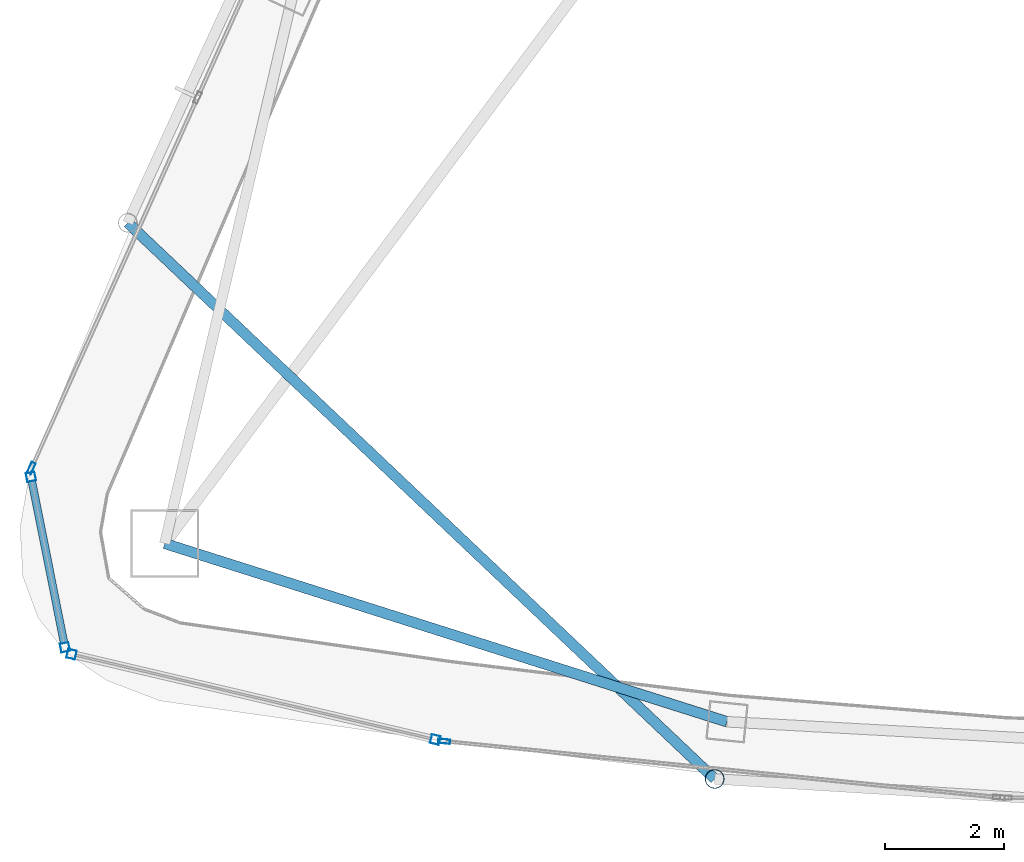
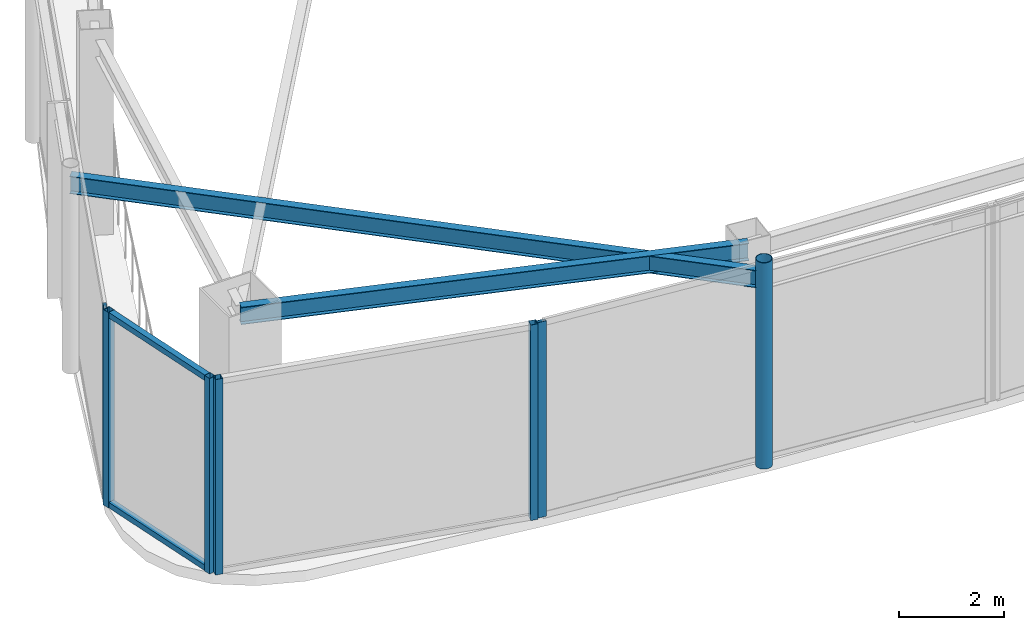
# One storey, part 2 of 19: 9 members, 2 beams, 4 elements without a shape of their own.
"""IFC4 building model written with IfcOpenShell, lengths in metres."""

from ifc_helpers import new_model, si_unit, direction, frame, origin, origin_2d, place, context, subcontext, project, spatial, hollow_rectangle, hollow_circle, i_section, extrude, material, layer, layer_set, material_profile, profile_set, type_object, element, aggregate, save


model = new_model("IFC4")

# Units and contexts
model_context = context("Model", 3, precision=1e-05, world=origin(), true_north=direction((0.0, 1.0)))
body_context = subcontext(model_context, "Body", "Model", "MODEL_VIEW")
ifc_project = project(units=[si_unit("LENGTHUNIT", "METRE"), si_unit("AREAUNIT", "SQUARE_METRE"), si_unit("VOLUMEUNIT", "CUBIC_METRE"), si_unit("PLANEANGLEUNIT", "RADIAN"), si_unit("MASSUNIT", "GRAM", prefix="KILO")], contexts=[model_context])

# Site, building, storey
site_placement = place(None, origin())
site = spatial("IfcSite", under=ifc_project, at=site_placement, CompositionType="ELEMENT")
building_placement = place(site_placement, origin())
building = spatial("IfcBuilding", under=site, at=building_placement, Name="Orvanel Arch Residences", CompositionType="ELEMENT")
storey_placement = place(building_placement, frame((0.0, 0.0, 286.10009765625)))
storey = spatial("IfcBuildingStorey", under=building, at=storey_placement, Name="L81", CompositionType="ELEMENT", Elevation=286.10009765625)

# Curtain wall, members
ifc_material_1 = material(Name="Bronze-anodised aluminium AA6063-T6", Category="aluminium")
ifc_layer = layer(ifc_material_1, 0.2099609375)
ifc_layer_set = layer_set([ifc_layer], Name="Bronze-anodised aluminium AA6063-T6")
curtain_wall_type = type_object("IfcCurtainWallType", Name="CW7-TOP-SYS", PredefinedType="NOTDEFINED", material=ifc_layer_set)
curtain_wall_1_placement = place(storey_placement, origin())
curtain_wall_1 = element("IfcCurtainWall", 1, at=curtain_wall_1_placement, inside=storey, type_object=curtain_wall_type, Name="L81 CW7-TOP-SYS Unitised Curtain Wall", PredefinedType="NOTDEFINED")
ifc_material_profile_1 = material_profile(ifc_material_1, hollow_rectangle(XDim=0.14990234375, YDim=0.14990234375, WallThickness=0.0048828125, at=origin_2d()), Name="ALU150x150x5")
ifc_profile_set_1 = profile_set([ifc_material_profile_1], Name="Bronze-anodised aluminium AA6063-T6")
member_type_1 = type_object("IfcMemberType", Name="MUL-150x150", PredefinedType="MULLION", material=ifc_profile_set_1)
member_1_placement = place(storey_placement, frame((11.95068359375, 11.471435546875, 0.0), z_axis=(0.0, 0.0, 1.0), x_axis=(0.980680696495, 0.195615366274, 0.0)))
member_1 = element("IfcMember", 2, at=member_1_placement, type_object=member_type_1, Name="CW-S7 mullion 1", PredefinedType="MULLION", context=body_context, shape_type="SweptSolid", body=[
    extrude(hollow_rectangle(XDim=0.14990234375, YDim=0.14990234375, WallThickness=0.0048828125, at=origin_2d()), origin(), (0.0, 0.0, 1.0), 4.5498046875),
])
member_2_placement = place(storey_placement, frame((12.522216796875, 8.60546875, 0.0), z_axis=(0.0, 0.0, 1.0), x_axis=(0.980680696495, 0.195615366274, 0.0)))
member_2 = element("IfcMember", 3, at=member_2_placement, type_object=member_type_1, Name="CW-S7 mullion 2", PredefinedType="MULLION", context=body_context, shape_type="SweptSolid", body=[
    extrude(hollow_rectangle(XDim=0.14990234375, YDim=0.14990234375, WallThickness=0.0048828125, at=origin_2d()), origin(), (0.0, 0.0, 1.0), 4.5498046875),
])

curtain_wall_2_placement = place(storey_placement, origin())
curtain_wall_2 = element("IfcCurtainWall", 4, at=curtain_wall_2_placement, inside=storey, type_object=curtain_wall_type, Name="L81 CW7-TOP-SYS Unitised Curtain Wall", PredefinedType="NOTDEFINED")
member_3_placement = place(storey_placement, frame((12.633056640625, 8.48974609375, 0.0), z_axis=(0.0, 0.0, 1.0), x_axis=(0.22864052585, 0.973510919271, 0.0)))
member_3 = element("IfcMember", 5, at=member_3_placement, type_object=member_type_1, Name="CW-S7 mullion 1", PredefinedType="MULLION", context=body_context, shape_type="SweptSolid", body=[
    extrude(hollow_rectangle(XDim=0.14990234375, YDim=0.14990234375, WallThickness=0.0048828125, at=origin_2d()), origin(), (0.0, 0.0, 1.0), 4.5498046875),
])
member_4_placement = place(storey_placement, frame((18.74609375, 7.05419921875, 0.0), z_axis=(0.0, 0.0, 1.0), x_axis=(0.22864052585, 0.973510919271, 0.0)))
member_4 = element("IfcMember", 6, at=member_4_placement, type_object=member_type_1, Name="CW-S7 mullion 2", PredefinedType="MULLION", context=body_context, shape_type="SweptSolid", body=[
    extrude(hollow_rectangle(XDim=0.14990234375, YDim=0.14990234375, WallThickness=0.0048828125, at=origin_2d()), origin(), (0.0, 0.0, 1.0), 4.5498046875),
])
aggregate(curtain_wall_2, [member_3, member_4])

# Curtain wall, member
curtain_wall_3_placement = place(storey_placement, origin())
curtain_wall_3 = element("IfcCurtainWall", 7, at=curtain_wall_3_placement, inside=storey, type_object=curtain_wall_type, Name="L81 CW7-TOP-SYS Unitised Curtain Wall", PredefinedType="NOTDEFINED")
ifc_material_profile_2 = material_profile(ifc_material_1, hollow_rectangle(XDim=0.074951171875, YDim=0.199951171875, WallThickness=0.0048828125, at=origin_2d()), Name="ALU200x75x5")
ifc_profile_set_2 = profile_set([ifc_material_profile_2], Name="Bronze-anodised aluminium AA6063-T6")
member_type_2 = type_object("IfcMemberType", Name="MUL-200x75", PredefinedType="MULLION", material=ifc_profile_set_2)
member_5_placement = place(storey_placement, frame((11.955322265625, 11.6171875, 0.0), z_axis=(0.0, 0.0, 1.0), x_axis=(0.912376147447, -0.40935286193, 0.0)))
member_5 = element("IfcMember", 8, at=member_5_placement, type_object=member_type_2, Name="CW-S7 mullion 3", PredefinedType="MULLION", context=body_context, shape_type="SweptSolid", body=[
    extrude(hollow_rectangle(XDim=0.074951171875, YDim=0.199951171875, WallThickness=0.0048828125, at=origin_2d()), origin(), (0.0, 0.0, 1.0), 4.5498046875),
])
aggregate(curtain_wall_3, [member_5])

curtain_wall_4_placement = place(storey_placement, origin())
curtain_wall_4 = element("IfcCurtainWall", 9, at=curtain_wall_4_placement, inside=storey, type_object=curtain_wall_type, Name="L81 CW7-TOP-SYS Unitised Curtain Wall", PredefinedType="NOTDEFINED")
member_6_placement = place(storey_placement, frame((18.895263671875, 7.026123046875, 0.0), z_axis=(0.0, 0.0, 1.0), x_axis=(0.10054103466, 0.994932912487, 0.0)))
member_6 = element("IfcMember", 10, at=member_6_placement, type_object=member_type_2, Name="CW-S7 mullion 1", PredefinedType="MULLION", context=body_context, shape_type="SweptSolid", body=[
    extrude(hollow_rectangle(XDim=0.074951171875, YDim=0.199951171875, WallThickness=0.0048828125, at=origin_2d()), origin(), (0.0, 0.0, 1.0), 4.5498046875),
])
aggregate(curtain_wall_4, [member_6])

# Beams
ifc_material_2 = material(Name="Structural steel AS/NZS 3679.1 Grade 300 (300 MPa)", Category="steel")
ifc_material_profile_3 = material_profile(ifc_material_2, i_section(OverallWidth=0.177978515625, OverallDepth=0.406005859375, WebThickness=0.0078125, FlangeThickness=0.0126953125, at=origin_2d()), Name="410UB59.7")
ifc_profile_set_3 = profile_set([ifc_material_profile_3], Name="Structural steel AS/NZS 3679.1 Grade 300 (300 MPa)")
beam_type_1 = type_object("IfcBeamType", Name="OB-410UB", PredefinedType="SPANDREL", material=ifc_profile_set_3)
beam_1_placement = place(storey_placement, frame((14.198974609375, 10.35107421875, 4.346923828125), z_axis=(0.953237386592, -0.302222574941, 0.0), x_axis=(0.302222574941, 0.953237386592, 0.0)))
element("IfcBeam", 11, at=beam_1_placement, inside=storey, type_object=beam_type_1, Name="L81 Perimeter Spandrel Beam 02", PredefinedType="SPANDREL", context=body_context, shape_type="SweptSolid", body=[
    extrude(i_section(OverallWidth=0.177978515625, OverallDepth=0.406005859375, WebThickness=0.0078125, FlangeThickness=0.0126953125, at=origin_2d()), origin(), (0.0, 0.0, 1.0), 9.91357421875),
])
ifc_material_profile_4 = material_profile(ifc_material_2, i_section(OverallWidth=0.177978515625, OverallDepth=0.406005859375, WebThickness=0.0078125, FlangeThickness=0.0126953125, at=origin_2d()), Name="410UB59.7")
ifc_profile_set_4 = profile_set([ifc_material_profile_4], Name="Structural steel AS/NZS 3679.1 Grade 300 (300 MPa)")
beam_type_2 = type_object("IfcBeamType", Name="OB-410UB-EXT", PredefinedType="SPANDREL", material=ifc_profile_set_4)
beam_2_placement = place(storey_placement, frame((13.577880859375, 15.740966796875, 4.346923828125), z_axis=(0.72587667187, -0.687824873958, 0.0), x_axis=(0.687824873958, 0.72587667187, 0.0)))
element("IfcBeam", 12, at=beam_2_placement, inside=storey, type_object=beam_type_2, Name="L81 Outer Perimeter Floor Ring Beam 04", PredefinedType="SPANDREL", context=body_context, shape_type="SweptSolid", body=[
    extrude(i_section(OverallWidth=0.177978515625, OverallDepth=0.406005859375, WebThickness=0.0078125, FlangeThickness=0.0126953125, at=origin_2d()), origin(), (0.0, 0.0, 1.0), 13.589111328125),
])

# Member
ifc_material_3 = material(Name="Structural steel AS/NZS 1163 C350L0 (Grade 350)", Category="steel")
ifc_material_profile_5 = material_profile(ifc_material_3, hollow_circle(Radius=0.162109375, WallThickness=0.0126953125, at=origin_2d()), Name="CHS324x12.7")
ifc_profile_set_5 = profile_set([ifc_material_profile_5], Name="Structural steel AS/NZS 1163 C350L0 (Grade 350)")
member_type_3 = type_object("IfcMemberType", Name="ST-324CHS-EXT", PredefinedType="STRUT", material=ifc_profile_set_5)
member_7_placement = place(storey_placement, frame((23.44189453125, 6.39404296875, 0.0), z_axis=(0.0, 0.0, 1.0), x_axis=(1.0, 0.0, 0.0)))
element("IfcMember", 13, at=member_7_placement, inside=storey, type_object=member_type_3, Name="L81 Outer Perimeter Frame Post 05", PredefinedType="STRUT", context=body_context, shape_type="SweptSolid", body=[
    extrude(hollow_circle(Radius=0.162109375, WallThickness=0.0126953125, at=origin_2d()), origin(), (0.0, 0.0, 1.0), 4.7998046875),
])

ifc_material_profile_6 = material_profile(ifc_material_1, hollow_rectangle(XDim=0.1298828125, YDim=0.1298828125, WallThickness=0.00439453125, at=origin_2d()), Name="ALU130x130x4.5")
ifc_profile_set_6 = profile_set([ifc_material_profile_6], Name="Bronze-anodised aluminium AA6063-T6")
member_type_4 = type_object("IfcMemberType", Name="TRN-130x130", PredefinedType="USERDEFINED", material=ifc_profile_set_6)
member_8_placement = place(storey_placement, frame((11.96533203125, 11.39794921875, 0.06494140625), z_axis=(0.195591107521, -0.980685535051, 0.0), x_axis=(0.980685535051, 0.195591107521, 0.0)))
member_8 = element("IfcMember", 14, at=member_8_placement, type_object=member_type_4, Name="CW-S7 transom 1.1", ObjectType="TRANSOM", PredefinedType="USERDEFINED", context=body_context, shape_type="SweptSolid", body=[
    extrude(hollow_rectangle(XDim=0.1298828125, YDim=0.1298828125, WallThickness=0.00439453125, at=origin_2d()), origin(), (0.0, 0.0, 1.0), 2.772216796875),
])

member_9_placement = place(storey_placement, frame((11.96533203125, 11.39794921875, 4.48486328125), z_axis=(0.195591107521, -0.980685535051, 0.0), x_axis=(0.980685535051, 0.195591107521, 0.0)))
member_9 = element("IfcMember", 15, at=member_9_placement, type_object=member_type_4, Name="CW-S7 transom 1.2", ObjectType="TRANSOM", PredefinedType="USERDEFINED", context=body_context, shape_type="SweptSolid", body=[
    extrude(hollow_rectangle(XDim=0.1298828125, YDim=0.1298828125, WallThickness=0.00439453125, at=origin_2d()), origin(), (0.0, 0.0, 1.0), 2.772216796875),
])

aggregate(curtain_wall_1, [member_1, member_2, member_8, member_9])

save(model, "model.ifc")
